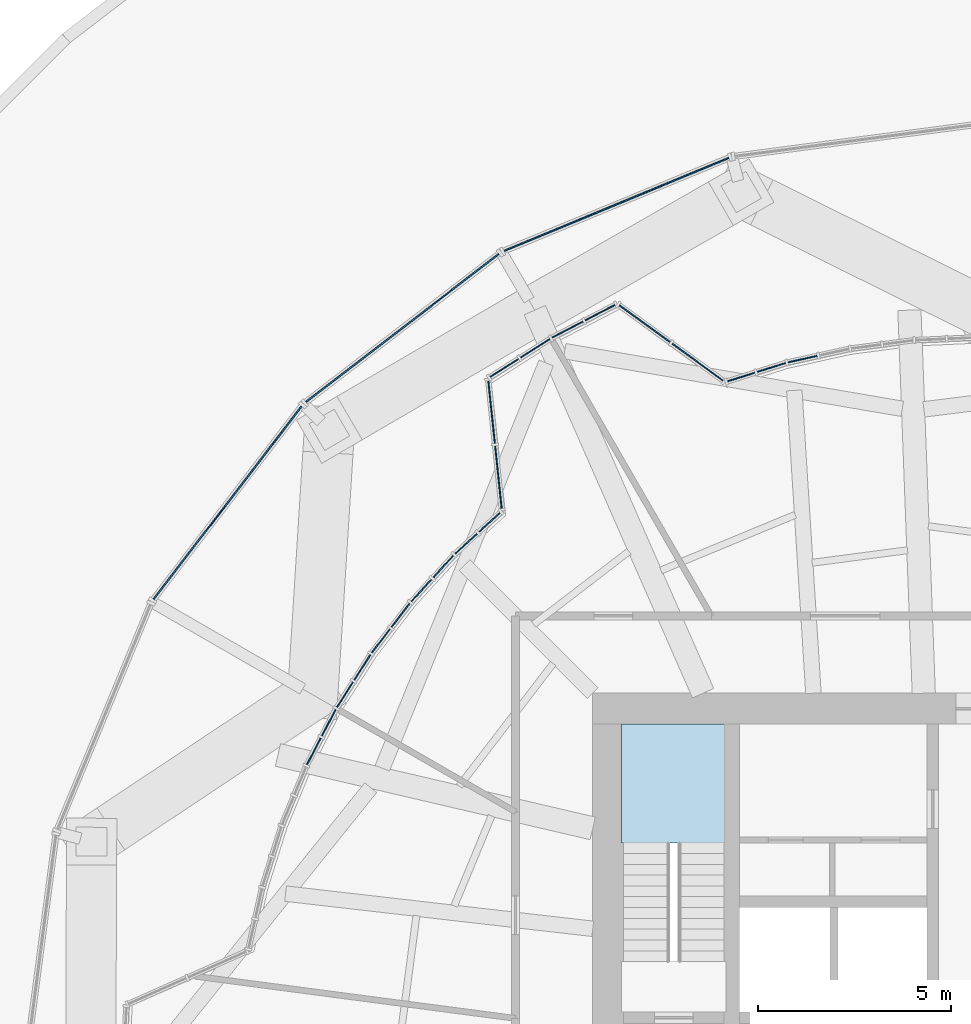
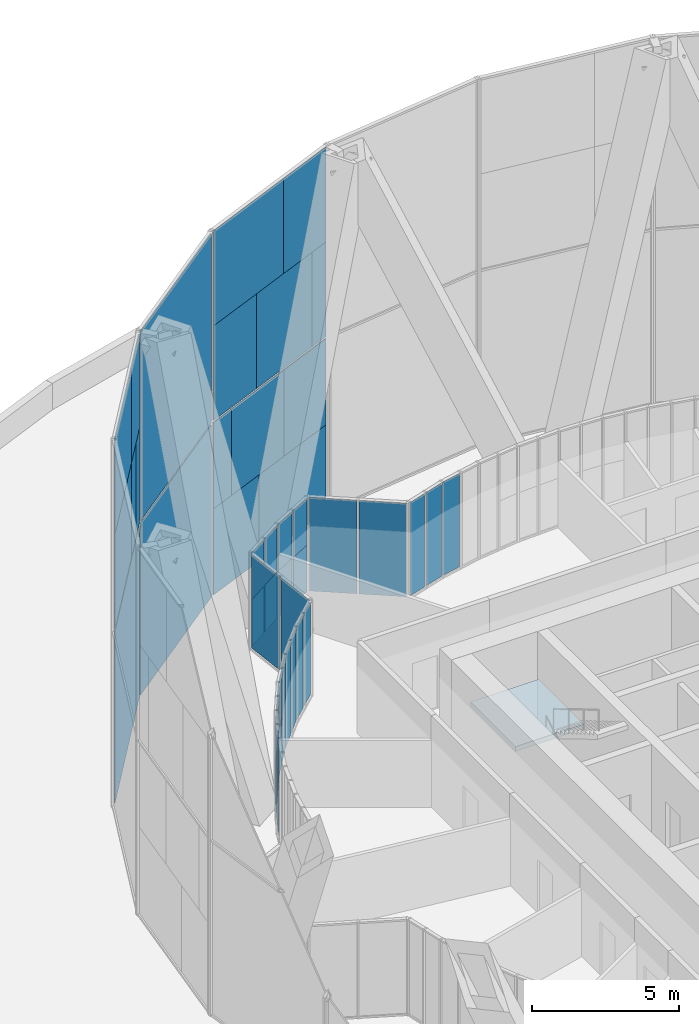
# One storey, part 19 of 27: 48 plates, 1 slab, 15 elements without a shape of their own.
"""IFC4 building model written with IfcOpenShell, lengths in metres."""

from ifc_helpers import new_model, si_unit, direction, frame, origin, origin_2d, place, context, subcontext, project, spatial, polyline, rectangle, outline, extrude, material, layer, layer_set, type_object, element, aggregate, save


model = new_model("IFC4")

# Units and contexts
model_context = context("Model", 3, precision=1e-05, world=origin(), true_north=direction((0.0, 1.0)))
body_context = subcontext(model_context, "Body", "Model", "MODEL_VIEW")
ifc_project = project(units=[si_unit("LENGTHUNIT", "METRE"), si_unit("AREAUNIT", "SQUARE_METRE"), si_unit("VOLUMEUNIT", "CUBIC_METRE"), si_unit("PLANEANGLEUNIT", "RADIAN"), si_unit("MASSUNIT", "GRAM", prefix="KILO")], contexts=[model_context])

# Site, building, storey
site_placement = place(None, origin())
site = spatial("IfcSite", under=ifc_project, at=site_placement, CompositionType="ELEMENT")
building_placement = place(site_placement, origin())
building = spatial("IfcBuilding", under=site, at=building_placement, Name="Golbaran Civic Tower", CompositionType="ELEMENT")
storey_placement = place(building_placement, frame((0.0, 0.0, 21.0)))
storey = spatial("IfcBuildingStorey", under=building, at=storey_placement, Name="L04", CompositionType="ELEMENT", Elevation=21.0)

# Curtain wall, plate
ifc_material_1 = material(Name="Aluminium and glass", Category="aluminium")
curtain_wall_type_1 = type_object("IfcCurtainWallType", Name="INNER SKIN CURTAIN WALL", PredefinedType="NOTDEFINED", material=ifc_material_1)
curtain_wall_1_placement = place(storey_placement, origin())
curtain_wall_1 = element("IfcCurtainWall", 1, at=curtain_wall_1_placement, inside=storey, type_object=curtain_wall_type_1, Name="Inner skin L04 facet 21 CW1", ObjectType="INNER SKIN", PredefinedType="USERDEFINED")
ifc_material_2 = material(Name="Clear insulating glass", Category="glass")
ifc_layer_1 = layer(ifc_material_2, 0.031982421875, Name="Clear insulating glass")
ifc_layer_set_1 = layer_set([ifc_layer_1], Name="Clear insulating glass")
plate_type_1 = type_object("IfcPlateType", Name="INNER SKIN CURTAIN WALL GLAZED PANEL", PredefinedType="CURTAIN_PANEL", material=ifc_layer_set_1)
plate_1_placement = place(storey_placement, frame((-4.56396484375, 18.65087890625, 0.06494140625), z_axis=(0.0, 0.0, 1.0), x_axis=(-0.976296007124, -0.216439613921, 0.0)))
plate_1 = element("IfcPlate", 2, at=plate_1_placement, type_object=plate_type_1, Name="CW1 panel 2.1", PredefinedType="CURTAIN_PANEL", context=body_context, shape_type="SweptSolid", body=[
    extrude(rectangle(XDim=0.773193359375, YDim=0.031982421875, at=origin_2d()), origin(), (0.0, 0.0, 1.0), 3.8701171875),
])
aggregate(curtain_wall_1, [plate_1])

# Curtain wall, plates
curtain_wall_2_placement = place(storey_placement, origin())
curtain_wall_2 = element("IfcCurtainWall", 3, at=curtain_wall_2_placement, inside=storey, type_object=curtain_wall_type_1, Name="Inner skin L04 facet 22 CW1", ObjectType="INNER SKIN", PredefinedType="USERDEFINED")
plate_2_placement = place(storey_placement, frame((-5.372802734375, 18.434326171875, 0.06494140625), z_axis=(0.0, 0.0, 1.0), x_axis=(-0.953716950685, -0.300705799704, 0.0)))
plate_2 = element("IfcPlate", 4, at=plate_2_placement, type_object=plate_type_1, Name="CW1 panel 1.1", PredefinedType="CURTAIN_PANEL", context=body_context, shape_type="SweptSolid", body=[
    extrude(rectangle(XDim=0.773193359375, YDim=0.031982421875, at=origin_2d()), origin(), (0.0, 0.0, 1.0), 3.8701171875),
])
plate_3_placement = place(storey_placement, frame((-6.15673828125, 18.18701171875, 0.06494140625), z_axis=(0.0, 0.0, 1.0), x_axis=(-0.953716950685, -0.300705799704, 0.0)))
plate_3 = element("IfcPlate", 5, at=plate_3_placement, type_object=plate_type_1, Name="CW1 panel 2.1", PredefinedType="CURTAIN_PANEL", context=body_context, shape_type="SweptSolid", body=[
    extrude(rectangle(XDim=0.74072265625, YDim=0.031982421875, at=origin_2d()), origin(), (0.0, 0.0, 1.0), 3.8701171875),
])
aggregate(curtain_wall_2, [plate_2, plate_3])

curtain_wall_3_placement = place(storey_placement, origin())
curtain_wall_3 = element("IfcCurtainWall", 6, at=curtain_wall_3_placement, inside=storey, type_object=curtain_wall_type_1, Name="Inner skin L04 facet 23 CW1", ObjectType="INNER SKIN", PredefinedType="USERDEFINED")
plate_4_placement = place(storey_placement, frame((-7.283447265625, 18.57275390625, 0.06494140625), z_axis=(0.0, 0.0, 1.0), x_axis=(-0.809274136458, 0.587431163679, 0.0)))
plate_4 = element("IfcPlate", 7, at=plate_4_placement, type_object=plate_type_1, Name="CW1 panel 1.1", PredefinedType="CURTAIN_PANEL", context=body_context, shape_type="SweptSolid", body=[
    extrude(rectangle(XDim=1.62841796875, YDim=0.031982421875, at=origin_2d()), origin(), (0.0, 0.0, 1.0), 3.8701171875),
])
plate_5_placement = place(storey_placement, frame((-8.65380859375, 19.5673828125, 0.06494140625), z_axis=(0.0, 0.0, 1.0), x_axis=(-0.809274136458, 0.587431163679, 0.0)))
plate_5 = element("IfcPlate", 8, at=plate_5_placement, type_object=plate_type_1, Name="CW1 panel 2.1", PredefinedType="CURTAIN_PANEL", context=body_context, shape_type="SweptSolid", body=[
    extrude(rectangle(XDim=1.62841796875, YDim=0.031982421875, at=origin_2d()), origin(), (0.0, 0.0, 1.0), 3.8701171875),
])
aggregate(curtain_wall_3, [plate_4, plate_5])

curtain_wall_4_placement = place(storey_placement, origin())
curtain_wall_4 = element("IfcCurtainWall", 9, at=curtain_wall_4_placement, inside=storey, type_object=curtain_wall_type_1, Name="Inner skin L04 facet 26 CW1", ObjectType="INNER SKIN", PredefinedType="USERDEFINED")
plate_6_placement = place(storey_placement, frame((-12.618896484375, 17.278076171875, 0.06494140625), z_axis=(0.0, 0.0, 1.0), x_axis=(0.104093242509, -0.994567542635, 0.0)))
plate_6 = element("IfcPlate", 10, at=plate_6_placement, type_object=plate_type_1, Name="CW1 panel 1.1", PredefinedType="CURTAIN_PANEL", context=body_context, shape_type="SweptSolid", body=[
    extrude(rectangle(XDim=1.62841796875, YDim=0.031982421875, at=origin_2d()), origin(), (0.0, 0.0, 1.0), 3.8701171875),
])
plate_7_placement = place(storey_placement, frame((-12.442626953125, 15.593994140625, 0.06494140625), z_axis=(0.0, 0.0, 1.0), x_axis=(0.104093242509, -0.994567542635, 0.0)))
plate_7 = element("IfcPlate", 11, at=plate_7_placement, type_object=plate_type_1, Name="CW1 panel 2.1", PredefinedType="CURTAIN_PANEL", context=body_context, shape_type="SweptSolid", body=[
    extrude(rectangle(XDim=1.62841796875, YDim=0.031982421875, at=origin_2d()), origin(), (0.0, 0.0, 1.0), 3.8701171875),
])
aggregate(curtain_wall_4, [plate_6, plate_7])

curtain_wall_5_placement = place(storey_placement, origin())
curtain_wall_5 = element("IfcCurtainWall", 12, at=curtain_wall_5_placement, inside=storey, type_object=curtain_wall_type_1, Name="Inner skin L04 facet 27 CW1", ObjectType="INNER SKIN", PredefinedType="USERDEFINED")
plate_8_placement = place(storey_placement, frame((-12.672119140625, 14.425537109375, 0.06494140625), z_axis=(0.0, 0.0, 1.0), x_axis=(-0.737277336421, -0.67559020804, 0.0)))
plate_8 = element("IfcPlate", 13, at=plate_8_placement, type_object=plate_type_1, Name="CW1 panel 1.1", PredefinedType="CURTAIN_PANEL", context=body_context, shape_type="SweptSolid", body=[
    extrude(rectangle(XDim=0.74072265625, YDim=0.031982421875, at=origin_2d()), origin(), (0.0, 0.0, 1.0), 3.8701171875),
])
plate_9_placement = place(storey_placement, frame((-13.278076171875, 13.8701171875, 0.06494140625), z_axis=(0.0, 0.0, 1.0), x_axis=(-0.737277336421, -0.67559020804, 0.0)))
plate_9 = element("IfcPlate", 14, at=plate_9_placement, type_object=plate_type_1, Name="CW1 panel 2.1", PredefinedType="CURTAIN_PANEL", context=body_context, shape_type="SweptSolid", body=[
    extrude(rectangle(XDim=0.773193359375, YDim=0.031982421875, at=origin_2d()), origin(), (0.0, 0.0, 1.0), 3.8701171875),
])
aggregate(curtain_wall_5, [plate_8, plate_9])

curtain_wall_6_placement = place(storey_placement, origin())
curtain_wall_6 = element("IfcCurtainWall", 15, at=curtain_wall_6_placement, inside=storey, type_object=curtain_wall_type_1, Name="Inner skin L04 facet 28 CW1", ObjectType="INNER SKIN", PredefinedType="USERDEFINED")
plate_10_placement = place(storey_placement, frame((-13.8701171875, 13.278076171875, 0.06494140625), z_axis=(0.0, 0.0, 1.0), x_axis=(-0.67559020804, -0.737277336421, 0.0)))
plate_10 = element("IfcPlate", 16, at=plate_10_placement, type_object=plate_type_1, Name="CW1 panel 1.1", PredefinedType="CURTAIN_PANEL", context=body_context, shape_type="SweptSolid", body=[
    extrude(rectangle(XDim=0.773193359375, YDim=0.031982421875, at=origin_2d()), origin(), (0.0, 0.0, 1.0), 3.8701171875),
])
plate_11_placement = place(storey_placement, frame((-14.4365234375, 12.66015625, 0.06494140625), z_axis=(0.0, 0.0, 1.0), x_axis=(-0.67559020804, -0.737277336421, 0.0)))
plate_11 = element("IfcPlate", 17, at=plate_11_placement, type_object=plate_type_1, Name="CW1 panel 2.1", PredefinedType="CURTAIN_PANEL", context=body_context, shape_type="SweptSolid", body=[
    extrude(rectangle(XDim=0.773193359375, YDim=0.031982421875, at=origin_2d()), origin(), (0.0, 0.0, 1.0), 3.8701171875),
])
aggregate(curtain_wall_6, [plate_10, plate_11])

# Curtain wall, plate
curtain_wall_7_placement = place(storey_placement, origin())
curtain_wall_7 = element("IfcCurtainWall", 18, at=curtain_wall_7_placement, inside=storey, type_object=curtain_wall_type_1, Name="Inner skin L04 facet 29 CW1", ObjectType="INNER SKIN", PredefinedType="USERDEFINED")
plate_12_placement = place(storey_placement, frame((-14.974609375, 12.018798828125, 0.06494140625), z_axis=(0.0, 0.0, 1.0), x_axis=(-0.608761428718, -0.793353340514, 0.0)))
plate_12 = element("IfcPlate", 19, at=plate_12_placement, type_object=plate_type_1, Name="CW1 panel 1.1", PredefinedType="CURTAIN_PANEL", context=body_context, shape_type="SweptSolid", body=[
    extrude(rectangle(XDim=0.773193359375, YDim=0.031982421875, at=origin_2d()), origin(), (0.0, 0.0, 1.0), 3.8701171875),
])

# Curtain wall, plates
curtain_wall_8_placement = place(storey_placement, origin())
curtain_wall_8 = element("IfcCurtainWall", 20, at=curtain_wall_8_placement, inside=storey, type_object=curtain_wall_type_1, Name="Inner skin L04 facet 24 CW1", ObjectType="INNER SKIN", PredefinedType="USERDEFINED")
ifc_material_3 = material(Name="Aluminium faced opaque infill panel", Category="aluminium")
ifc_layer_2 = layer(ifc_material_3, 0.031982421875, Name="Aluminium faced opaque infill panel")
ifc_layer_set_2 = layer_set([ifc_layer_2], Name="Aluminium faced opaque infill panel")
plate_type_2 = type_object("IfcPlateType", Name="INNER SKIN CURTAIN WALL OPAQUE INFILL PANEL", PredefinedType="CURTAIN_PANEL", material=ifc_layer_set_2)
plate_13_placement = place(storey_placement, frame((-9.808349609375, 19.85302734375, 0.06494140625), z_axis=(0.0, 0.0, 1.0), x_axis=(-0.88701083317, -0.461748613251, 0.0)))
plate_13 = element("IfcPlate", 21, at=plate_13_placement, type_object=plate_type_2, Name="CW1 infill panel 1.1 part 1", PredefinedType="CURTAIN_PANEL", context=body_context, shape_type="SweptSolid", body=[
    extrude(rectangle(XDim=0.869140625, YDim=0.031982421875, at=origin_2d()), origin(), (0.0, 0.0, 1.0), 1.93505859375),
])
plate_14_placement = place(storey_placement, frame((-9.808349609375, 19.85302734375, 2.0), z_axis=(0.0, 0.0, 1.0), x_axis=(-0.88701083317, -0.461748613251, 0.0)))
plate_14 = element("IfcPlate", 22, at=plate_14_placement, type_object=plate_type_2, Name="CW1 infill panel 1.1 part 2", PredefinedType="CURTAIN_PANEL", context=body_context, shape_type="SweptSolid", body=[
    extrude(rectangle(XDim=0.869140625, YDim=0.031982421875, at=origin_2d()), origin(), (0.0, 0.0, 1.0), 1.93505859375),
])
plate_15_placement = place(storey_placement, frame((-10.6513671875, 19.414306640625, 0.06494140625), z_axis=(0.0, 0.0, 1.0), x_axis=(-0.88701083317, -0.461748613251, 0.0)))
plate_15 = element("IfcPlate", 23, at=plate_15_placement, type_object=plate_type_2, Name="CW1 infill panel 2.1 part 1", PredefinedType="CURTAIN_PANEL", context=body_context, shape_type="SweptSolid", body=[
    extrude(rectangle(XDim=0.901611328125, YDim=0.031982421875, at=origin_2d()), origin(), (0.0, 0.0, 1.0), 1.93505859375),
])
plate_16_placement = place(storey_placement, frame((-10.6513671875, 19.414306640625, 2.0), z_axis=(0.0, 0.0, 1.0), x_axis=(-0.88701083317, -0.461748613251, 0.0)))
plate_16 = element("IfcPlate", 24, at=plate_16_placement, type_object=plate_type_2, Name="CW1 infill panel 2.1 part 2", PredefinedType="CURTAIN_PANEL", context=body_context, shape_type="SweptSolid", body=[
    extrude(rectangle(XDim=0.901611328125, YDim=0.031982421875, at=origin_2d()), origin(), (0.0, 0.0, 1.0), 1.93505859375),
])
aggregate(curtain_wall_8, [plate_13, plate_14, plate_15, plate_16])

curtain_wall_9_placement = place(storey_placement, origin())
curtain_wall_9 = element("IfcCurtainWall", 25, at=curtain_wall_9_placement, inside=storey, type_object=curtain_wall_type_1, Name="Inner skin L04 facet 25 CW1", ObjectType="INNER SKIN", PredefinedType="USERDEFINED")
plate_17_placement = place(storey_placement, frame((-11.487548828125, 18.931396484375, 0.06494140625), z_axis=(0.0, 0.0, 1.0), x_axis=(-0.843391445747, -0.53729960845, 0.0)))
plate_17 = element("IfcPlate", 26, at=plate_17_placement, type_object=plate_type_2, Name="CW1 infill panel 1.1 part 1", PredefinedType="CURTAIN_PANEL", context=body_context, shape_type="SweptSolid", body=[
    extrude(rectangle(XDim=0.901611328125, YDim=0.031982421875, at=origin_2d()), origin(), (0.0, 0.0, 1.0), 1.93505859375),
])
plate_18_placement = place(storey_placement, frame((-11.487548828125, 18.931396484375, 2.0), z_axis=(0.0, 0.0, 1.0), x_axis=(-0.843391445747, -0.53729960845, 0.0)))
plate_18 = element("IfcPlate", 27, at=plate_18_placement, type_object=plate_type_2, Name="CW1 infill panel 1.1 part 2", PredefinedType="CURTAIN_PANEL", context=body_context, shape_type="SweptSolid", body=[
    extrude(rectangle(XDim=0.901611328125, YDim=0.031982421875, at=origin_2d()), origin(), (0.0, 0.0, 1.0), 1.93505859375),
])
plate_19_placement = place(storey_placement, frame((-12.2890625, 18.4208984375, 0.06494140625), z_axis=(0.0, 0.0, 1.0), x_axis=(-0.843391445747, -0.53729960845, 0.0)))
plate_19 = element("IfcPlate", 28, at=plate_19_placement, type_object=plate_type_2, Name="CW1 infill panel 2.1 part 1", PredefinedType="CURTAIN_PANEL", context=body_context, shape_type="SweptSolid", body=[
    extrude(rectangle(XDim=0.869140625, YDim=0.031982421875, at=origin_2d()), origin(), (0.0, 0.0, 1.0), 1.93505859375),
])
plate_20_placement = place(storey_placement, frame((-12.2890625, 18.4208984375, 2.0), z_axis=(0.0, 0.0, 1.0), x_axis=(-0.843391445747, -0.53729960845, 0.0)))
plate_20 = element("IfcPlate", 29, at=plate_20_placement, type_object=plate_type_2, Name="CW1 infill panel 2.1 part 2", PredefinedType="CURTAIN_PANEL", context=body_context, shape_type="SweptSolid", body=[
    extrude(rectangle(XDim=0.869140625, YDim=0.031982421875, at=origin_2d()), origin(), (0.0, 0.0, 1.0), 1.93505859375),
])
aggregate(curtain_wall_9, [plate_17, plate_18, plate_19, plate_20])

# Plate
plate_21_placement = place(storey_placement, frame((-15.48486328125, 11.353759765625, 0.06494140625), z_axis=(0.0, 0.0, 1.0), x_axis=(-0.608761428718, -0.793353340514, 0.0)))
plate_21 = element("IfcPlate", 30, at=plate_21_placement, type_object=plate_type_2, Name="CW1 infill panel 2.1 part 1", PredefinedType="CURTAIN_PANEL", context=body_context, shape_type="SweptSolid", body=[
    extrude(rectangle(XDim=0.773193359375, YDim=0.031982421875, at=origin_2d()), origin(), (0.0, 0.0, 1.0), 1.93505859375),
])

plate_22_placement = place(storey_placement, frame((-15.48486328125, 11.353759765625, 2.0), z_axis=(0.0, 0.0, 1.0), x_axis=(-0.608761428718, -0.793353340514, 0.0)))
plate_22 = element("IfcPlate", 31, at=plate_22_placement, type_object=plate_type_2, Name="CW1 infill panel 2.1 part 2", PredefinedType="CURTAIN_PANEL", context=body_context, shape_type="SweptSolid", body=[
    extrude(rectangle(XDim=0.773193359375, YDim=0.031982421875, at=origin_2d()), origin(), (0.0, 0.0, 1.0), 1.93505859375),
])

aggregate(curtain_wall_7, [plate_12, plate_21, plate_22])

# Curtain wall, plates
curtain_wall_10_placement = place(storey_placement, origin())
curtain_wall_10 = element("IfcCurtainWall", 32, at=curtain_wall_10_placement, inside=storey, type_object=curtain_wall_type_1, Name="Inner skin L04 facet 30 CW1", ObjectType="INNER SKIN", PredefinedType="USERDEFINED")
plate_23_placement = place(storey_placement, frame((-15.965087890625, 10.667724609375, 0.06494140625), z_axis=(0.0, 0.0, 1.0), x_axis=(-0.537299608597, -0.843391445653, 0.0)))
plate_23 = element("IfcPlate", 33, at=plate_23_placement, type_object=plate_type_2, Name="CW1 infill panel 1.1 part 1", PredefinedType="CURTAIN_PANEL", context=body_context, shape_type="SweptSolid", body=[
    extrude(rectangle(XDim=0.773193359375, YDim=0.031982421875, at=origin_2d()), origin(), (0.0, 0.0, 1.0), 1.93505859375),
])
plate_24_placement = place(storey_placement, frame((-15.965087890625, 10.667724609375, 2.0), z_axis=(0.0, 0.0, 1.0), x_axis=(-0.537299608597, -0.843391445653, 0.0)))
plate_24 = element("IfcPlate", 34, at=plate_24_placement, type_object=plate_type_2, Name="CW1 infill panel 1.1 part 2", PredefinedType="CURTAIN_PANEL", context=body_context, shape_type="SweptSolid", body=[
    extrude(rectangle(XDim=0.773193359375, YDim=0.031982421875, at=origin_2d()), origin(), (0.0, 0.0, 1.0), 1.93505859375),
])
plate_25_placement = place(storey_placement, frame((-16.41552734375, 9.9609375, 0.06494140625), z_axis=(0.0, 0.0, 1.0), x_axis=(-0.537299608597, -0.843391445653, 0.0)))
plate_25 = element("IfcPlate", 35, at=plate_25_placement, type_object=plate_type_2, Name="CW1 infill panel 2.1 part 1", PredefinedType="CURTAIN_PANEL", context=body_context, shape_type="SweptSolid", body=[
    extrude(rectangle(XDim=0.773193359375, YDim=0.031982421875, at=origin_2d()), origin(), (0.0, 0.0, 1.0), 1.93505859375),
])
plate_26_placement = place(storey_placement, frame((-16.41552734375, 9.9609375, 2.0), z_axis=(0.0, 0.0, 1.0), x_axis=(-0.537299608597, -0.843391445653, 0.0)))
plate_26 = element("IfcPlate", 36, at=plate_26_placement, type_object=plate_type_2, Name="CW1 infill panel 2.1 part 2", PredefinedType="CURTAIN_PANEL", context=body_context, shape_type="SweptSolid", body=[
    extrude(rectangle(XDim=0.773193359375, YDim=0.031982421875, at=origin_2d()), origin(), (0.0, 0.0, 1.0), 1.93505859375),
])
aggregate(curtain_wall_10, [plate_23, plate_24, plate_25, plate_26])

curtain_wall_11_placement = place(storey_placement, origin())
curtain_wall_11 = element("IfcCurtainWall", 37, at=curtain_wall_11_placement, inside=storey, type_object=curtain_wall_type_1, Name="Inner skin L04 facet 31 CW1", ObjectType="INNER SKIN", PredefinedType="USERDEFINED")
plate_27_placement = place(storey_placement, frame((-16.834228515625, 9.23583984375, 0.06494140625), z_axis=(0.0, 0.0, 1.0), x_axis=(-0.461748613065, -0.887010833267, 0.0)))
plate_27 = element("IfcPlate", 38, at=plate_27_placement, type_object=plate_type_2, Name="CW1 infill panel 1.1 part 1", PredefinedType="CURTAIN_PANEL", context=body_context, shape_type="SweptSolid", body=[
    extrude(rectangle(XDim=0.773193359375, YDim=0.031982421875, at=origin_2d()), origin(), (0.0, 0.0, 1.0), 1.93505859375),
])
plate_28_placement = place(storey_placement, frame((-16.834228515625, 9.23583984375, 2.0), z_axis=(0.0, 0.0, 1.0), x_axis=(-0.461748613065, -0.887010833267, 0.0)))
plate_28 = element("IfcPlate", 39, at=plate_28_placement, type_object=plate_type_2, Name="CW1 infill panel 1.1 part 2", PredefinedType="CURTAIN_PANEL", context=body_context, shape_type="SweptSolid", body=[
    extrude(rectangle(XDim=0.773193359375, YDim=0.031982421875, at=origin_2d()), origin(), (0.0, 0.0, 1.0), 1.93505859375),
])
plate_29_placement = place(storey_placement, frame((-17.22119140625, 8.492431640625, 0.06494140625), z_axis=(0.0, 0.0, 1.0), x_axis=(-0.461748613065, -0.887010833267, 0.0)))
plate_29 = element("IfcPlate", 40, at=plate_29_placement, type_object=plate_type_2, Name="CW1 infill panel 2.1 part 1", PredefinedType="CURTAIN_PANEL", context=body_context, shape_type="SweptSolid", body=[
    extrude(rectangle(XDim=0.773193359375, YDim=0.031982421875, at=origin_2d()), origin(), (0.0, 0.0, 1.0), 1.93505859375),
])
plate_30_placement = place(storey_placement, frame((-17.22119140625, 8.492431640625, 2.0), z_axis=(0.0, 0.0, 1.0), x_axis=(-0.461748613065, -0.887010833267, 0.0)))
plate_30 = element("IfcPlate", 41, at=plate_30_placement, type_object=plate_type_2, Name="CW1 infill panel 2.1 part 2", PredefinedType="CURTAIN_PANEL", context=body_context, shape_type="SweptSolid", body=[
    extrude(rectangle(XDim=0.773193359375, YDim=0.031982421875, at=origin_2d()), origin(), (0.0, 0.0, 1.0), 1.93505859375),
])
aggregate(curtain_wall_11, [plate_27, plate_28, plate_29, plate_30])

curtain_wall_type_2 = type_object("IfcCurtainWallType", Name="OUTER SKIN TERRACOTTA SCREEN", PredefinedType="NOTDEFINED", material=ifc_material_1)
curtain_wall_12_placement = place(storey_placement, origin())
curtain_wall_12 = element("IfcCurtainWall", 42, at=curtain_wall_12_placement, inside=storey, type_object=curtain_wall_type_2, Name="Outer skin L04 facet 8 CW3", ObjectType="OUTER SKIN", PredefinedType="USERDEFINED")
ifc_material_4 = material(Name="Clear laminated glass", Category="glass")
ifc_layer_3 = layer(ifc_material_4, 0.0400390625, Name="Clear laminated glass")
ifc_layer_set_3 = layer_set([ifc_layer_3], Name="Clear laminated glass")
plate_type_3 = type_object("IfcPlateType", Name="OUTER SKIN CLEAR GLASS PANEL", PredefinedType="CURTAIN_PANEL", material=ifc_layer_set_3)
plate_31_placement = place(storey_placement, frame((-8.202880859375, 23.146240234375, 0.080078125), z_axis=(0.0, 0.0, 1.0), x_axis=(-0.923879532538, -0.382683432301, 0.0)))
plate_31 = element("IfcPlate", 43, at=plate_31_placement, type_object=plate_type_3, Name="CW3 panel 1.1 part 1", PredefinedType="CURTAIN_PANEL", context=body_context, shape_type="SweptSolid", body=[
    extrude(rectangle(XDim=3.739013671875, YDim=0.0400390625, at=origin_2d()), origin(), (0.0, 0.0, 1.0), 3.5849609375),
])
plate_32_placement = place(storey_placement, frame((-7.560791015625, 23.412109375, 3.6650390625), z_axis=(0.0, 0.0, 1.0), x_axis=(-0.923879532538, -0.382683432301, 0.0)))
plate_32 = element("IfcPlate", 44, at=plate_32_placement, type_object=plate_type_3, Name="CW3 panel 1.1 part 3", PredefinedType="CURTAIN_PANEL", context=body_context, shape_type="SweptSolid", body=[
    extrude(rectangle(XDim=2.34912109375, YDim=0.0400390625, at=origin_2d()), origin(), (0.0, 0.0, 1.0), 3.5849609375),
])
plate_33_placement = place(storey_placement, frame((-11.830322265625, 21.643798828125, 3.6650390625), z_axis=(0.0, 0.0, 1.0), x_axis=(-0.923879532538, -0.382683432301, 0.0)))
plate_33 = element("IfcPlate", 45, at=plate_33_placement, type_object=plate_type_3, Name="CW3 panel 1.1 part 5", PredefinedType="CURTAIN_PANEL", context=body_context, shape_type="SweptSolid", body=[
    extrude(rectangle(XDim=1.003173828125, YDim=0.0400390625, at=origin_2d()), origin(), (0.0, 0.0, 1.0), 3.5849609375),
])
plate_34_placement = place(storey_placement, frame((-6.8408203125, 23.71044921875, 7.330078125), z_axis=(0.0, 0.0, 1.0), x_axis=(-0.923879532538, -0.382683432301, 0.0)))
plate_34 = element("IfcPlate", 46, at=plate_34_placement, type_object=plate_type_3, Name="CW3 panel 1.2 part 1", PredefinedType="CURTAIN_PANEL", context=body_context, shape_type="SweptSolid", body=[
    extrude(rectangle(XDim=0.7900390625, YDim=0.0400390625, at=origin_2d()), origin(), (0.0, 0.0, 1.0), 3.93994140625),
])
plate_35_placement = place(storey_placement, frame((-11.184326171875, 21.9111328125, 7.330078125), z_axis=(0.0, 0.0, 1.0), x_axis=(-0.923879532538, -0.382683432301, 0.0)))
plate_35 = element("IfcPlate", 47, at=plate_35_placement, type_object=plate_type_3, Name="CW3 panel 1.2 part 3", PredefinedType="CURTAIN_PANEL", context=body_context, shape_type="SweptSolid", body=[
    extrude(rectangle(XDim=2.401123046875, YDim=0.0400390625, at=origin_2d()), origin(), (0.0, 0.0, 1.0), 3.93994140625),
])
plate_36_placement = place(storey_placement, frame((-10.48974609375, 22.198974609375, 11.27001953125), z_axis=(0.0, 0.0, 1.0), x_axis=(-0.923879532538, -0.382683432301, 0.0)))
plate_36 = element("IfcPlate", 48, at=plate_36_placement, type_object=plate_type_3, Name="CW3 panel 1.2 part 5", PredefinedType="CURTAIN_PANEL", context=body_context, shape_type="SweptSolid", body=[
    extrude(rectangle(XDim=3.905029296875, YDim=0.0400390625, at=origin_2d()), origin(), (0.0, 0.0, 1.0), 3.93994140625),
])

curtain_wall_13_placement = place(storey_placement, origin())
curtain_wall_13 = element("IfcCurtainWall", 49, at=curtain_wall_13_placement, inside=storey, type_object=curtain_wall_type_2, Name="Outer skin L04 facet 10 CW3", ObjectType="OUTER SKIN", PredefinedType="USERDEFINED")
plate_37_placement = place(storey_placement, frame((-19.455810546875, 14.928955078125, 0.080078125), z_axis=(0.0, 0.0, 1.0), x_axis=(-0.608761428981, -0.793353340312, 0.0)))
plate_37 = element("IfcPlate", 50, at=plate_37_placement, type_object=plate_type_3, Name="CW3 panel 1.1", PredefinedType="CURTAIN_PANEL", context=body_context, shape_type="SweptSolid", body=[
    extrude(rectangle(XDim=6.297119140625, YDim=0.0400390625, at=origin_2d()), origin(), (0.0, 0.0, 1.0), 7.169921875),
])
plate_38_placement = place(storey_placement, frame((-17.7998046875, 17.0869140625, 7.330078125), z_axis=(0.0, 0.0, 1.0), x_axis=(-0.608761428981, -0.793353340312, 0.0)))
plate_38 = element("IfcPlate", 51, at=plate_38_placement, type_object=plate_type_3, Name="CW3 panel 1.2 part 1", PredefinedType="CURTAIN_PANEL", context=body_context, shape_type="SweptSolid", body=[
    extrude(rectangle(XDim=0.85693359375, YDim=0.0400390625, at=origin_2d()), origin(), (0.0, 0.0, 1.0), 3.93994140625),
])
plate_39_placement = place(storey_placement, frame((-20.0888671875, 14.103759765625, 7.330078125), z_axis=(0.0, 0.0, 1.0), x_axis=(-0.608761428981, -0.793353340312, 0.0)))
plate_39 = element("IfcPlate", 52, at=plate_39_placement, type_object=plate_type_3, Name="CW3 panel 1.2 part 3", PredefinedType="CURTAIN_PANEL", context=body_context, shape_type="SweptSolid", body=[
    extrude(rectangle(XDim=4.217041015625, YDim=0.0400390625, at=origin_2d()), origin(), (0.0, 0.0, 1.0), 3.93994140625),
])
plate_40_placement = place(storey_placement, frame((-20.0888671875, 14.103759765625, 11.27001953125), z_axis=(0.0, 0.0, 1.0), x_axis=(-0.608761428981, -0.793353340312, 0.0)))
plate_40 = element("IfcPlate", 53, at=plate_40_placement, type_object=plate_type_3, Name="CW3 panel 1.2 part 5", PredefinedType="CURTAIN_PANEL", context=body_context, shape_type="SweptSolid", body=[
    extrude(rectangle(XDim=4.217041015625, YDim=0.0400390625, at=origin_2d()), origin(), (0.0, 0.0, 1.0), 3.93994140625),
])

# Plate
ifc_material_5 = material(Name="Terracotta baguette screen", Category="masonry")
ifc_layer_4 = layer(ifc_material_5, 0.0400390625, Name="Terracotta baguette screen")
ifc_layer_set_4 = layer_set([ifc_layer_4], Name="Terracotta baguette screen")
plate_type_4 = type_object("IfcPlateType", Name="OUTER SKIN TERRACOTTA INFILL PANEL", PredefinedType="CURTAIN_PANEL", material=ifc_layer_set_4)
plate_41_placement = place(storey_placement, frame((-11.11181640625, 21.941162109375, 0.080078125), z_axis=(0.0, 0.0, 1.0), x_axis=(-0.923879532538, -0.382683432301, 0.0)))
plate_41 = element("IfcPlate", 54, at=plate_41_placement, type_object=plate_type_4, Name="CW3 infill panel 1.1 part 2", PredefinedType="CURTAIN_PANEL", context=body_context, shape_type="SweptSolid", body=[
    extrude(rectangle(XDim=2.55810546875, YDim=0.0400390625, at=origin_2d()), origin(), (0.0, 0.0, 1.0), 3.5849609375),
])

plate_42_placement = place(storey_placement, frame((-10.00634765625, 22.399169921875, 3.6650390625), z_axis=(0.0, 0.0, 1.0), x_axis=(-0.923879532538, -0.382683432301, 0.0)))
plate_42 = element("IfcPlate", 55, at=plate_42_placement, type_object=plate_type_4, Name="CW3 infill panel 1.1 part 4", PredefinedType="CURTAIN_PANEL", context=body_context, shape_type="SweptSolid", body=[
    extrude(rectangle(XDim=2.945068359375, YDim=0.0400390625, at=origin_2d()), origin(), (0.0, 0.0, 1.0), 3.5849609375),
])

plate_43_placement = place(storey_placement, frame((-8.640380859375, 22.96484375, 7.330078125), z_axis=(0.0, 0.0, 1.0), x_axis=(-0.923879532538, -0.382683432301, 0.0)))
plate_43 = element("IfcPlate", 56, at=plate_43_placement, type_object=plate_type_4, Name="CW3 infill panel 1.2 part 2", PredefinedType="CURTAIN_PANEL", context=body_context, shape_type="SweptSolid", body=[
    extrude(rectangle(XDim=3.10595703125, YDim=0.0400390625, at=origin_2d()), origin(), (0.0, 0.0, 1.0), 3.93994140625),
])

plate_44_placement = place(storey_placement, frame((-7.580810546875, 23.40380859375, 11.27001953125), z_axis=(0.0, 0.0, 1.0), x_axis=(-0.923879532538, -0.382683432301, 0.0)))
plate_44 = element("IfcPlate", 57, at=plate_44_placement, type_object=plate_type_4, Name="CW3 infill panel 1.2 part 4", PredefinedType="CURTAIN_PANEL", context=body_context, shape_type="SweptSolid", body=[
    extrude(rectangle(XDim=2.39208984375, YDim=0.0400390625, at=origin_2d()), origin(), (0.0, 0.0, 1.0), 3.93994140625),
])

aggregate(curtain_wall_12, [plate_31, plate_41, plate_32, plate_42, plate_33, plate_34, plate_43, plate_35, plate_44, plate_36])

plate_45_placement = place(storey_placement, frame((-18.432861328125, 16.26171875, 7.330078125), z_axis=(0.0, 0.0, 1.0), x_axis=(-0.608761428981, -0.793353340312, 0.0)))
plate_45 = element("IfcPlate", 58, at=plate_45_placement, type_object=plate_type_4, Name="CW3 infill panel 1.2 part 2", PredefinedType="CURTAIN_PANEL", context=body_context, shape_type="SweptSolid", body=[
    extrude(rectangle(XDim=1.222900390625, YDim=0.0400390625, at=origin_2d()), origin(), (0.0, 0.0, 1.0), 3.93994140625),
])

plate_46_placement = place(storey_placement, frame((-18.172119140625, 16.601806640625, 11.27001953125), z_axis=(0.0, 0.0, 1.0), x_axis=(-0.608761428981, -0.793353340312, 0.0)))
plate_46 = element("IfcPlate", 59, at=plate_46_placement, type_object=plate_type_4, Name="CW3 infill panel 1.2 part 4", PredefinedType="CURTAIN_PANEL", context=body_context, shape_type="SweptSolid", body=[
    extrude(rectangle(XDim=2.080078125, YDim=0.0400390625, at=origin_2d()), origin(), (0.0, 0.0, 1.0), 3.93994140625),
])

aggregate(curtain_wall_13, [plate_37, plate_38, plate_45, plate_39, plate_46, plate_40])

# Curtain wall, plates
curtain_wall_14_placement = place(storey_placement, origin())
curtain_wall_14 = element("IfcCurtainWall", 60, at=curtain_wall_14_placement, inside=storey, type_object=curtain_wall_type_2, Name="Outer skin L04 facet 9 CW3", ObjectType="OUTER SKIN", PredefinedType="USERDEFINED")
ifc_layer_5 = layer(ifc_material_5, 0.0400390625, Name="Terracotta baguette screen")
ifc_layer_set_5 = layer_set([ifc_layer_5], Name="Terracotta baguette screen")
plate_type_5 = type_object("IfcPlateType", Name="OUTER SKIN TERRACOTTA SCREEN PANEL", PredefinedType="CURTAIN_PANEL", material=ifc_layer_set_5)
plate_47_placement = place(storey_placement, frame((-14.928955078125, 19.455810546875, 0.080078125), z_axis=(0.0, 0.0, 1.0), x_axis=(-0.793353340312, -0.608761428981, 0.0)))
plate_47 = element("IfcPlate", 61, at=plate_47_placement, type_object=plate_type_5, Name="CW3 terracotta screen panel 1.1", PredefinedType="CURTAIN_PANEL", context=body_context, shape_type="SweptSolid", body=[
    extrude(rectangle(XDim=6.297119140625, YDim=0.0400390625, at=origin_2d()), origin(), (0.0, 0.0, 1.0), 7.169921875),
])
plate_48_placement = place(storey_placement, frame((-14.928955078125, 19.455810546875, 7.330078125), z_axis=(0.0, 0.0, 1.0), x_axis=(-0.793353340312, -0.608761428981, 0.0)))
plate_48 = element("IfcPlate", 62, at=plate_48_placement, type_object=plate_type_5, Name="CW3 terracotta screen panel 1.2", PredefinedType="CURTAIN_PANEL", context=body_context, shape_type="SweptSolid", body=[
    extrude(rectangle(XDim=6.297119140625, YDim=0.0400390625, at=origin_2d()), origin(), (0.0, 0.0, 1.0), 7.8798828125),
])
aggregate(curtain_wall_14, [plate_47, plate_48])

# Stair, slab
ifc_material_6 = material(Name="Concrete C35/45", Category="concrete")
stair_type = type_object("IfcStairType", Name="EXIT STAIR 2600 x 7450, 4000 RISE", PredefinedType="HALF_TURN_STAIR", material=ifc_material_6)
stair_placement = place(storey_placement, origin())
stair = element("IfcStair", 63, at=stair_placement, inside=storey, type_object=stair_type, Name="Stair S1 L04", PredefinedType="HALF_TURN_STAIR")
ifc_layer_6 = layer(ifc_material_6, 0.199951171875, Name="Concrete C35/45")
ifc_layer_set_6 = layer_set([ifc_layer_6], Name="Concrete C35/45")
slab_type = type_object("IfcSlabType", Name="STAIR LANDING 200", PredefinedType="LANDING", material=ifc_layer_set_6)
slab_placement = place(storey_placement, frame((0.0, 0.0, 1.800048828125)))
slab = element("IfcSlab", 64, at=slab_placement, type_object=slab_type, Name="ST26074-40 landing 1", PredefinedType="LANDING", context=body_context, shape_type="SweptSolid", body=[
    extrude(outline(polyline([(-9.25, 6.125), (-9.25, 9.199951171875), (-6.550048828125, 9.199951171875), (-6.550048828125, 6.125), (-9.25, 6.125)])), origin(), (0.0, 0.0, 1.0), 0.199951171875),
])
aggregate(stair, [slab])

save(model, "model.ifc")
